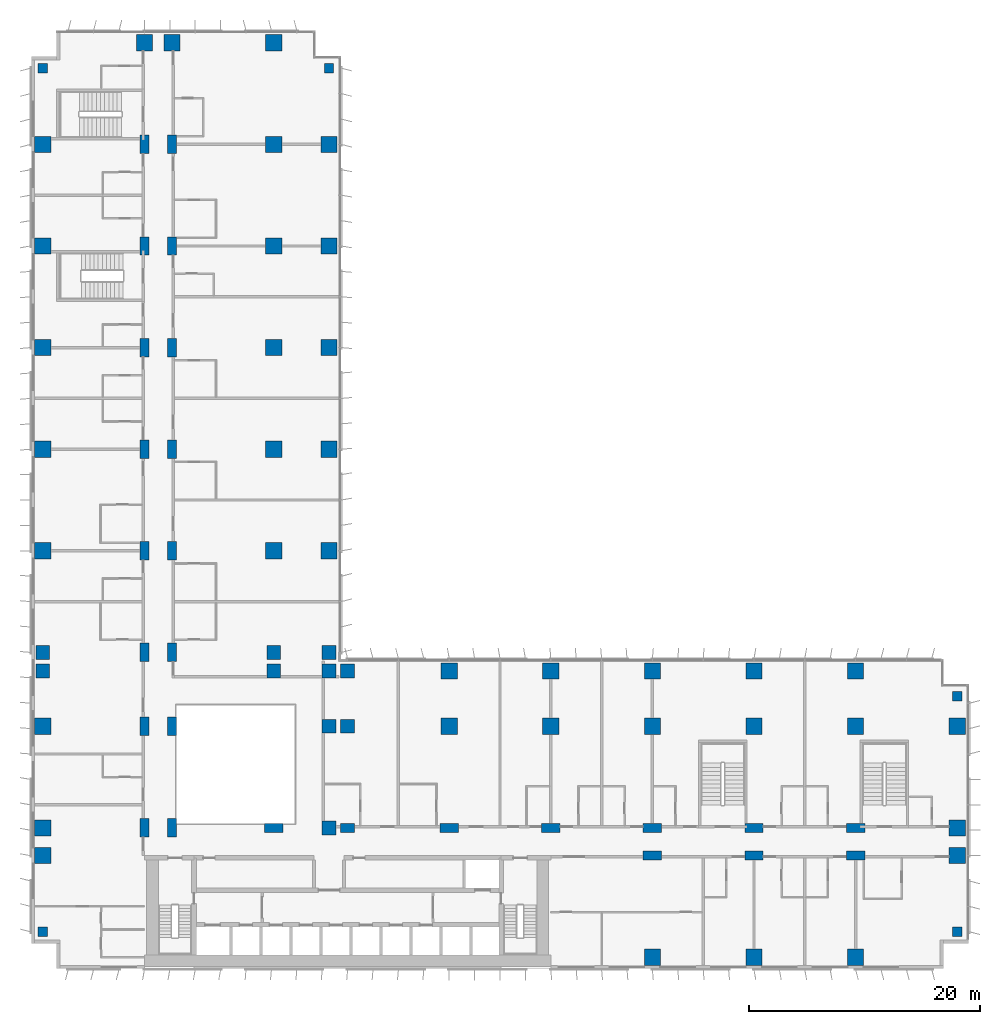
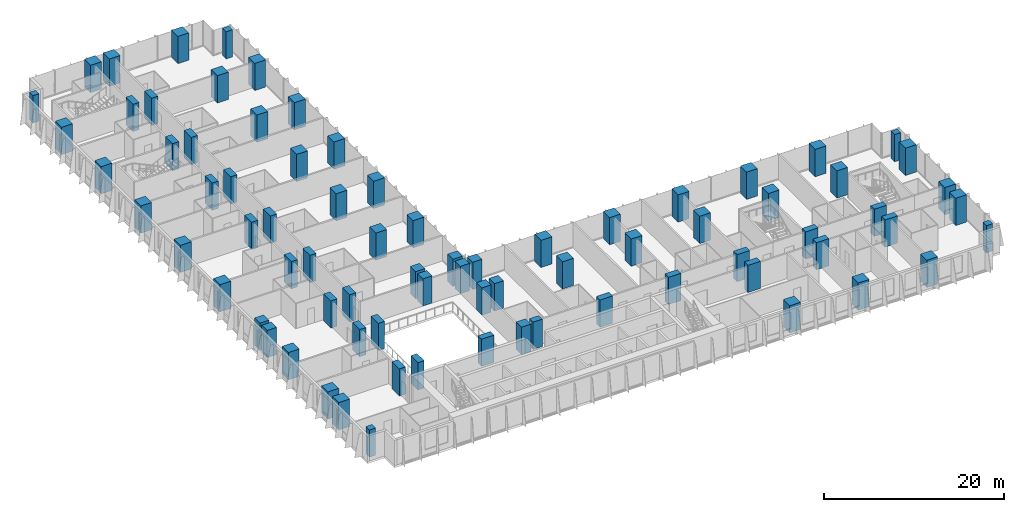
# One storey, part 1 of 24: 78 columns.
"""IFC4 building model written with IfcOpenShell, lengths in metres."""

from ifc_helpers import new_model, si_unit, direction, frame, origin, origin_2d, place, context, subcontext, project, spatial, rectangle, extrude, material, material_profile, profile_set, type_object, element, save


model = new_model("IFC4")

# Units and contexts
model_context = context("Model", 3, precision=1e-05, world=origin(), true_north=direction((0.0, 1.0)))
body_context = subcontext(model_context, "Body", "Model", "MODEL_VIEW")
ifc_project = project(units=[si_unit("LENGTHUNIT", "METRE"), si_unit("AREAUNIT", "SQUARE_METRE"), si_unit("VOLUMEUNIT", "CUBIC_METRE"), si_unit("PLANEANGLEUNIT", "RADIAN"), si_unit("MASSUNIT", "GRAM", prefix="KILO")], contexts=[model_context])

# Site, building, storey
site_placement = place(None, origin())
site = spatial("IfcSite", under=ifc_project, at=site_placement, CompositionType="ELEMENT")
building_placement = place(site_placement, origin())
building = spatial("IfcBuilding", under=site, at=building_placement, Name="Kemantara Hotel Tower", CompositionType="ELEMENT")
storey_placement = place(building_placement, frame((0.0, 0.0, 52.5)))
storey = spatial("IfcBuildingStorey", under=building, at=storey_placement, Name="L11", CompositionType="ELEMENT", Elevation=52.5)

# Columns
ifc_material = material(Name="Concrete fc 70 MPa", Category="concrete")
ifc_material_profile_1 = material_profile(ifc_material, rectangle(XDim=1.199951171875, YDim=1.199951171875, at=origin_2d()), Name="RC 1200X1200")
ifc_profile_set_1 = profile_set([ifc_material_profile_1], Name="Concrete fc 70 MPa")
column_type_1 = type_object("IfcColumnType", Name="RC COLUMN 1200X1200 FC70", PredefinedType="COLUMN", material=ifc_profile_set_1)
for number, where, z_axis, x_axis, name in (
    (1, (1.0, 25.800048828125, 0.0), (0.0, 0.0, 1.0), (1.0, 0.0, 0.0), "COLUMN 1/CA L11"),
    (2, (1.0, 27.39990234375, 0.0), (0.0, 0.0, 1.0), (1.0, 0.0, 0.0), "COLUMN 1/D L11"),
    (3, (21.0, 25.800048828125, 0.0), (0.0, 0.0, 1.0), (1.0, 0.0, 0.0), "COLUMN 3/CA L11"),
    (4, (21.0, 27.39990234375, 0.0), (0.0, 0.0, 1.0), (1.0, 0.0, 0.0), "COLUMN 3/D L11"),
    (5, (25.800048828125, 12.199951171875, 0.0), (0.0, 0.0, 1.0), (1.0, 0.0, 0.0), "COLUMN 3A/BA L11"),
    (6, (25.800048828125, 21.0, 0.0), (0.0, 0.0, 1.0), (1.0, 0.0, 0.0), "COLUMN 3A/C L11"),
    (7, (25.800048828125, 25.800048828125, 0.0), (0.0, 0.0, 1.0), (1.0, 0.0, 0.0), "COLUMN 3A/CA L11"),
    (8, (25.800048828125, 27.39990234375, 0.0), (0.0, 0.0, 1.0), (1.0, 0.0, 0.0), "COLUMN 3A/D L11"),
    (9, (27.39990234375, 21.0, 0.0), (0.0, 0.0, 1.0), (1.0, 0.0, 0.0), "COLUMN 4/C L11"),
    (10, (27.39990234375, 25.800048828125, 0.0), (0.0, 0.0, 1.0), (1.0, 0.0, 0.0), "COLUMN 4/CA L11"),
):
    element("IfcColumn", number, at=place(storey_placement, frame(where, z_axis=z_axis, x_axis=x_axis)), inside=storey, type_object=column_type_1, Name=name, PredefinedType="COLUMN", context=body_context, shape_type="SweptSolid", body=[
        extrude(rectangle(XDim=1.199951171875, YDim=1.199951171875, at=origin_2d()), origin(), (0.0, 0.0, 1.0), 3.699951171875),
    ])
ifc_material_profile_2 = material_profile(ifc_material, rectangle(XDim=1.199951171875, YDim=0.800048828125, at=origin_2d()), Name="RC 1200X800")
ifc_profile_set_2 = profile_set([ifc_material_profile_2], Name="Concrete fc 70 MPa")
column_type_2 = type_object("IfcColumnType", Name="RC COLUMN 1200X800 FC70", PredefinedType="COLUMN", material=ifc_profile_set_2)
column_placement = place(storey_placement, frame((27.39990234375, 12.199951171875, 0.0), z_axis=(0.0, 0.0, 1.0), x_axis=(1.0, 0.0, 0.0)))
element("IfcColumn", 11, at=column_placement, inside=storey, type_object=column_type_2, Name="COLUMN 4/BA L11", PredefinedType="COLUMN", context=body_context, shape_type="SweptSolid", body=[
    extrude(rectangle(XDim=1.199951171875, YDim=0.800048828125, at=origin_2d()), origin(), (0.0, 0.0, 1.0), 3.699951171875),
])
ifc_material_profile_3 = material_profile(ifc_material, rectangle(XDim=1.39990234375, YDim=1.39990234375, at=origin_2d()), Name="RC 1400X1400")
ifc_profile_set_3 = profile_set([ifc_material_profile_3], Name="Concrete fc 70 MPa")
column_type_3 = type_object("IfcColumnType", Name="RC COLUMN 1400X1400 FC70", PredefinedType="COLUMN", material=ifc_profile_set_3)
for number, where, z_axis, x_axis, name in (
    (12, (1.0, 9.800048828125, 0.0), (0.0, 0.0, 1.0), (1.0, 0.0, 0.0), "COLUMN 1/B L11"),
    (13, (1.0, 12.199951171875, 0.0), (0.0, 0.0, 1.0), (1.0, 0.0, 0.0), "COLUMN 1/BA L11"),
    (14, (1.0, 21.0, 0.0), (0.0, 0.0, 1.0), (1.0, 0.0, 0.0), "COLUMN 1/C L11"),
    (15, (1.0, 36.199951171875, 0.0), (0.0, 0.0, 1.0), (1.0, 0.0, 0.0), "COLUMN 1/E L11"),
    (16, (1.0, 45.0, 0.0), (0.0, 0.0, 1.0), (1.0, 0.0, 0.0), "COLUMN 1/F L11"),
    (17, (1.0, 53.800048828125, 0.0), (0.0, 0.0, 1.0), (1.0, 0.0, 0.0), "COLUMN 1/G L11"),
    (18, (1.0, 62.60009765625, 0.0), (0.0, 0.0, 1.0), (1.0, 0.0, 0.0), "COLUMN 1/H L11"),
    (19, (1.0, 71.39990234375, 0.0), (0.0, 0.0, 1.0), (1.0, 0.0, 0.0), "COLUMN 1/J L11"),
    (20, (9.800048828125, 80.199951171875, 0.0), (0.0, 0.0, 1.0), (1.0, 0.0, 0.0), "COLUMN 2/K L11"),
    (21, (12.199951171875, 80.199951171875, 0.0), (0.0, 0.0, 1.0), (1.0, 0.0, 0.0), "COLUMN 2A/K L11"),
    (22, (21.0, 36.199951171875, 0.0), (0.0, 0.0, 1.0), (1.0, 0.0, 0.0), "COLUMN 3/E L11"),
    (23, (21.0, 45.0, 0.0), (0.0, 0.0, 1.0), (1.0, 0.0, 0.0), "COLUMN 3/F L11"),
    (24, (21.0, 53.800048828125, 0.0), (0.0, 0.0, 1.0), (1.0, 0.0, 0.0), "COLUMN 3/G L11"),
    (25, (21.0, 62.60009765625, 0.0), (0.0, 0.0, 1.0), (1.0, 0.0, 0.0), "COLUMN 3/H L11"),
    (26, (21.0, 71.39990234375, 0.0), (0.0, 0.0, 1.0), (1.0, 0.0, 0.0), "COLUMN 3/J L11"),
    (27, (21.0, 80.199951171875, 0.0), (0.0, 0.0, 1.0), (1.0, 0.0, 0.0), "COLUMN 3/K L11"),
    (28, (25.800048828125, 36.199951171875, 0.0), (0.0, 0.0, 1.0), (1.0, 0.0, 0.0), "COLUMN 3A/E L11"),
    (29, (25.800048828125, 45.0, 0.0), (0.0, 0.0, 1.0), (1.0, 0.0, 0.0), "COLUMN 3A/F L11"),
    (30, (25.800048828125, 53.800048828125, 0.0), (0.0, 0.0, 1.0), (1.0, 0.0, 0.0), "COLUMN 3A/G L11"),
    (31, (25.800048828125, 62.60009765625, 0.0), (0.0, 0.0, 1.0), (1.0, 0.0, 0.0), "COLUMN 3A/H L11"),
    (32, (25.800048828125, 71.39990234375, 0.0), (0.0, 0.0, 1.0), (1.0, 0.0, 0.0), "COLUMN 3A/J L11"),
    (33, (36.199951171875, 21.0, 0.0), (0.0, 0.0, 1.0), (1.0, 0.0, 0.0), "COLUMN 5/C L11"),
    (34, (36.199951171875, 25.800048828125, 0.0), (0.0, 0.0, 1.0), (1.0, 0.0, 0.0), "COLUMN 5/CA L11"),
    (35, (45.0, 21.0, 0.0), (0.0, 0.0, 1.0), (1.0, 0.0, 0.0), "COLUMN 6/C L11"),
    (36, (45.0, 25.800048828125, 0.0), (0.0, 0.0, 1.0), (1.0, 0.0, 0.0), "COLUMN 6/CA L11"),
    (37, (53.800048828125, 1.0, 0.0), (0.0, 0.0, 1.0), (1.0, 0.0, 0.0), "COLUMN 7/A L11"),
    (38, (53.800048828125, 21.0, 0.0), (0.0, 0.0, 1.0), (1.0, 0.0, 0.0), "COLUMN 7/C L11"),
    (39, (53.800048828125, 25.800048828125, 0.0), (0.0, 0.0, 1.0), (1.0, 0.0, 0.0), "COLUMN 7/CA L11"),
    (40, (62.60009765625, 1.0, 0.0), (0.0, 0.0, 1.0), (1.0, 0.0, 0.0), "COLUMN 8/A L11"),
    (41, (62.60009765625, 21.0, 0.0), (0.0, 0.0, 1.0), (1.0, 0.0, 0.0), "COLUMN 8/C L11"),
    (42, (62.60009765625, 25.800048828125, 0.0), (0.0, 0.0, 1.0), (1.0, 0.0, 0.0), "COLUMN 8/CA L11"),
    (43, (71.39990234375, 1.0, 0.0), (0.0, 0.0, 1.0), (1.0, 0.0, 0.0), "COLUMN 9/A L11"),
    (44, (71.39990234375, 21.0, 0.0), (0.0, 0.0, 1.0), (1.0, 0.0, 0.0), "COLUMN 9/C L11"),
    (45, (71.39990234375, 25.800048828125, 0.0), (0.0, 0.0, 1.0), (1.0, 0.0, 0.0), "COLUMN 9/CA L11"),
    (46, (80.199951171875, 9.800048828125, 0.0), (0.0, 0.0, 1.0), (1.0, 0.0, 0.0), "COLUMN 10/B L11"),
    (47, (80.199951171875, 12.199951171875, 0.0), (0.0, 0.0, 1.0), (1.0, 0.0, 0.0), "COLUMN 10/BA L11"),
    (48, (80.199951171875, 21.0, 0.0), (0.0, 0.0, 1.0), (1.0, 0.0, 0.0), "COLUMN 10/C L11"),
):
    element("IfcColumn", number, at=place(storey_placement, frame(where, z_axis=z_axis, x_axis=x_axis)), inside=storey, type_object=column_type_3, Name=name, PredefinedType="COLUMN", context=body_context, shape_type="SweptSolid", body=[
        extrude(rectangle(XDim=1.39990234375, YDim=1.39990234375, at=origin_2d()), origin(), (0.0, 0.0, 1.0), 3.699951171875),
    ])
ifc_material_profile_4 = material_profile(ifc_material, rectangle(XDim=1.60009765625, YDim=0.800048828125, at=origin_2d()), Name="RC 1600X800")
ifc_profile_set_4 = profile_set([ifc_material_profile_4], Name="Concrete fc 70 MPa")
column_type_4 = type_object("IfcColumnType", Name="RC COLUMN 1600X800 FC70", PredefinedType="COLUMN", material=ifc_profile_set_4)
for number, where, z_axis, x_axis, name in (
    (49, (9.800048828125, 12.199951171875, 0.0), (0.0, 0.0, 1.0), (0.0, 1.0, 0.0), "COLUMN 2/BA L11"),
    (50, (9.800048828125, 21.0, 0.0), (0.0, 0.0, 1.0), (0.0, 1.0, 0.0), "COLUMN 2/C L11"),
    (51, (9.800048828125, 27.39990234375, 0.0), (0.0, 0.0, 1.0), (0.0, 1.0, 0.0), "COLUMN 2/D L11"),
    (52, (9.800048828125, 36.199951171875, 0.0), (0.0, 0.0, 1.0), (0.0, 1.0, 0.0), "COLUMN 2/E L11"),
    (53, (9.800048828125, 45.0, 0.0), (0.0, 0.0, 1.0), (0.0, 1.0, 0.0), "COLUMN 2/F L11"),
    (54, (9.800048828125, 53.800048828125, 0.0), (0.0, 0.0, 1.0), (0.0, 1.0, 0.0), "COLUMN 2/G L11"),
    (55, (9.800048828125, 62.60009765625, 0.0), (0.0, 0.0, 1.0), (0.0, 1.0, 0.0), "COLUMN 2/H L11"),
    (56, (9.800048828125, 71.39990234375, 0.0), (0.0, 0.0, 1.0), (0.0, 1.0, 0.0), "COLUMN 2/J L11"),
    (57, (12.199951171875, 12.199951171875, 0.0), (0.0, 0.0, 1.0), (0.0, 1.0, 0.0), "COLUMN 2A/BA L11"),
    (58, (12.199951171875, 21.0, 0.0), (0.0, 0.0, 1.0), (0.0, 1.0, 0.0), "COLUMN 2A/C L11"),
    (59, (12.199951171875, 27.39990234375, 0.0), (0.0, 0.0, 1.0), (0.0, 1.0, 0.0), "COLUMN 2A/D L11"),
    (60, (12.199951171875, 36.199951171875, 0.0), (0.0, 0.0, 1.0), (0.0, 1.0, 0.0), "COLUMN 2A/E L11"),
    (61, (12.199951171875, 45.0, 0.0), (0.0, 0.0, 1.0), (0.0, 1.0, 0.0), "COLUMN 2A/F L11"),
    (62, (12.199951171875, 53.800048828125, 0.0), (0.0, 0.0, 1.0), (0.0, 1.0, 0.0), "COLUMN 2A/G L11"),
    (63, (12.199951171875, 62.60009765625, 0.0), (0.0, 0.0, 1.0), (0.0, 1.0, 0.0), "COLUMN 2A/H L11"),
    (64, (12.199951171875, 71.39990234375, 0.0), (0.0, 0.0, 1.0), (0.0, 1.0, 0.0), "COLUMN 2A/J L11"),
    (65, (21.0, 12.199951171875, 0.0), (0.0, 0.0, 1.0), (1.0, 0.0, 0.0), "COLUMN 3/BA L11"),
    (66, (36.199951171875, 12.199951171875, 0.0), (0.0, 0.0, 1.0), (1.0, 0.0, 0.0), "COLUMN 5/BA L11"),
    (67, (45.0, 12.199951171875, 0.0), (0.0, 0.0, 1.0), (1.0, 0.0, 0.0), "COLUMN 6/BA L11"),
    (68, (53.800048828125, 9.800048828125, 0.0), (0.0, 0.0, 1.0), (1.0, 0.0, 0.0), "COLUMN 7/B L11"),
    (69, (53.800048828125, 12.199951171875, 0.0), (0.0, 0.0, 1.0), (1.0, 0.0, 0.0), "COLUMN 7/BA L11"),
    (70, (62.60009765625, 9.800048828125, 0.0), (0.0, 0.0, 1.0), (1.0, 0.0, 0.0), "COLUMN 8/B L11"),
    (71, (62.60009765625, 12.199951171875, 0.0), (0.0, 0.0, 1.0), (1.0, 0.0, 0.0), "COLUMN 8/BA L11"),
    (72, (71.39990234375, 9.800048828125, 0.0), (0.0, 0.0, 1.0), (1.0, 0.0, 0.0), "COLUMN 9/B L11"),
    (73, (71.39990234375, 12.199951171875, 0.0), (0.0, 0.0, 1.0), (1.0, 0.0, 0.0), "COLUMN 9/BA L11"),
):
    element("IfcColumn", number, at=place(storey_placement, frame(where, z_axis=z_axis, x_axis=x_axis)), inside=storey, type_object=column_type_4, Name=name, PredefinedType="COLUMN", context=body_context, shape_type="SweptSolid", body=[
        extrude(rectangle(XDim=1.60009765625, YDim=0.800048828125, at=origin_2d()), origin(), (0.0, 0.0, 1.0), 3.699951171875),
    ])
ifc_material_profile_5 = material_profile(ifc_material, rectangle(XDim=0.800048828125, YDim=0.800048828125, at=origin_2d()), Name="RC 800X800")
ifc_profile_set_5 = profile_set([ifc_material_profile_5], Name="Concrete fc 70 MPa")
column_type_5 = type_object("IfcColumnType", Name="RC COLUMN 800X800 FC70", PredefinedType="COLUMN", material=ifc_profile_set_5)
for number, where, z_axis, x_axis, name in (
    (74, (1.0, 3.199951171875, 0.0), (0.0, 0.0, 1.0), (1.0, 0.0, 0.0), "COLUMN notch corner L11"),
    (75, (1.0, 78.0, 0.0), (0.0, 0.0, 1.0), (1.0, 0.0, 0.0), "COLUMN notch corner L11"),
    (76, (25.800048828125, 78.0, 0.0), (0.0, 0.0, 1.0), (1.0, 0.0, 0.0), "COLUMN notch corner L11"),
    (77, (80.199951171875, 3.199951171875, 0.0), (0.0, 0.0, 1.0), (1.0, 0.0, 0.0), "COLUMN notch corner L11"),
    (78, (80.199951171875, 23.60009765625, 0.0), (0.0, 0.0, 1.0), (1.0, 0.0, 0.0), "COLUMN notch corner L11"),
):
    element("IfcColumn", number, at=place(storey_placement, frame(where, z_axis=z_axis, x_axis=x_axis)), inside=storey, type_object=column_type_5, Name=name, PredefinedType="COLUMN", context=body_context, shape_type="SweptSolid", body=[
        extrude(rectangle(XDim=0.800048828125, YDim=0.800048828125, at=origin_2d()), origin(), (0.0, 0.0, 1.0), 3.699951171875),
    ])

save(model, "model.ifc")
